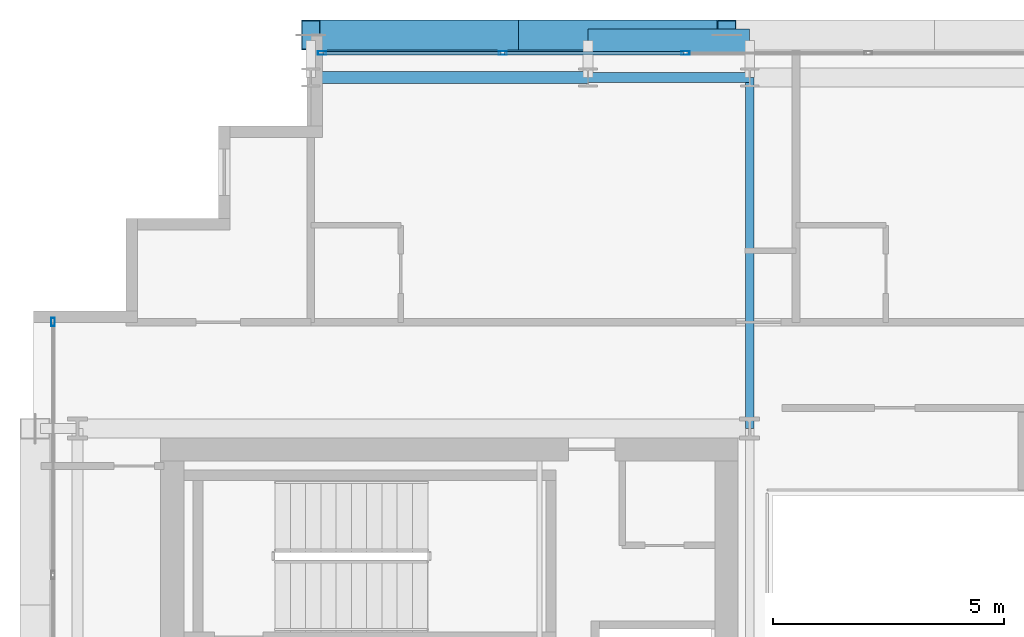
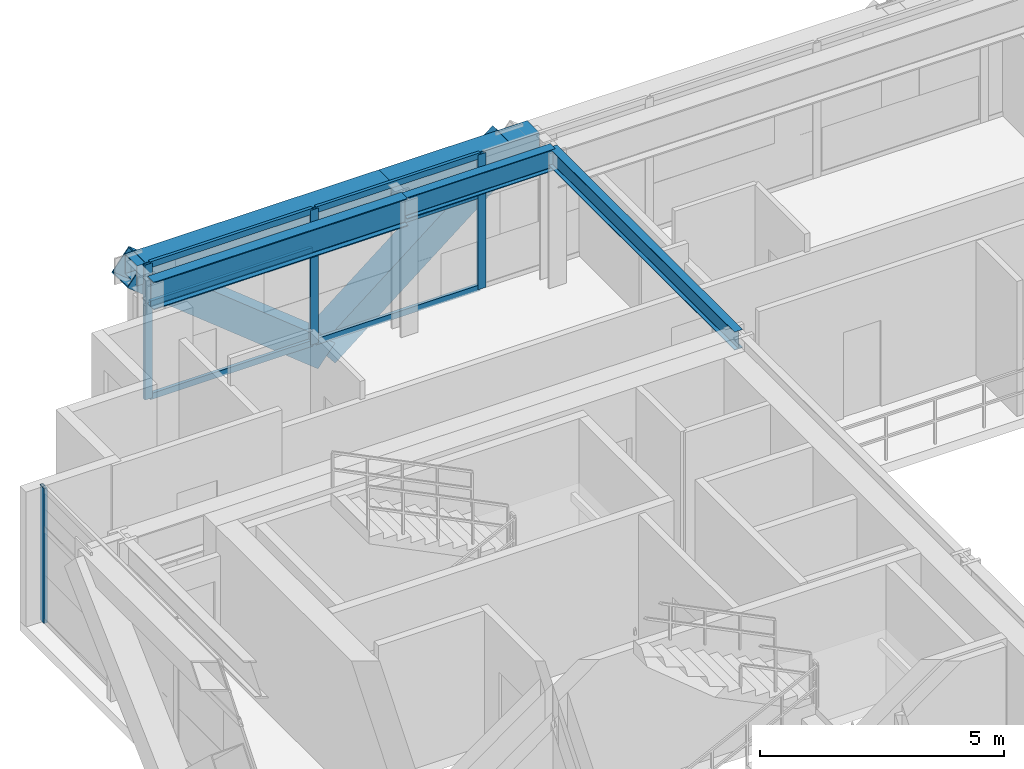
# One storey, part 16 of 32: 12 members, 5 beams, 2 elements without a shape of their own.
"""IFC4 building model written with IfcOpenShell, lengths in metres."""

from ifc_helpers import new_model, si_unit, direction, frame, origin, origin_2d, place, context, subcontext, project, spatial, hollow_rectangle, i_section, extrude, source, transform, mapped, material, layer, layer_set, material_profile, profile_set, type_object, element, aggregate, save


model = new_model("IFC4")

# Units and contexts
model_context = context("Model", 3, precision=1e-05, world=origin(), true_north=direction((0.0, 1.0)))
body_context = subcontext(model_context, "Body", "Model", "MODEL_VIEW")
ifc_project = project(units=[si_unit("LENGTHUNIT", "METRE"), si_unit("AREAUNIT", "SQUARE_METRE"), si_unit("VOLUMEUNIT", "CUBIC_METRE"), si_unit("PLANEANGLEUNIT", "RADIAN"), si_unit("MASSUNIT", "GRAM", prefix="KILO")], contexts=[model_context])

# Site, building, storey
site_placement = place(None, origin())
site = spatial("IfcSite", under=ifc_project, at=site_placement, CompositionType="ELEMENT")
building_placement = place(site_placement, origin())
building = spatial("IfcBuilding", under=site, at=building_placement, Name="Ocotamira Hotel", CompositionType="ELEMENT")
storey_placement = place(building_placement, frame((0.0, 0.0, 213.60009765625)))
storey = spatial("IfcBuildingStorey", under=building, at=storey_placement, Name="L54", CompositionType="ELEMENT", Elevation=213.60009765625)

# Beams
ifc_material_1 = material(Name="Steel ASTM A992 Grade 50", Category="steel")
ifc_material_profile_1 = material_profile(ifc_material_1, i_section(OverallWidth=0.256103515625, OverallDepth=0.693115234375, WebThickness=0.014404296875, FlangeThickness=0.023681640625, FilletRadius=0.01611328125, at=origin_2d()), Name="W27X114")
ifc_profile_set_1 = profile_set([ifc_material_profile_1], Name="Steel ASTM A992 Grade 50")
beam_type_1 = type_object("IfcBeamType", Name="BM-PRIM-W27X114", PredefinedType="BEAM", material=ifc_profile_set_1)
shared_shape_1 = source(origin(), body_context, "Body", "SweptSolid", [
    extrude(i_section(OverallWidth=0.256103515625, OverallDepth=0.693115234375, WebThickness=0.014404296875, FlangeThickness=0.023681640625, FilletRadius=0.01611328125, at=origin_2d()), origin(), (0.0, 0.0, 1.0), 6.0),
])
beam_1_placement = place(storey_placement, frame((14.0, 45.050048828125, 3.0234375), z_axis=(1.0, 0.0, 0.0), x_axis=(0.0, 1.0, 0.0)))
element("IfcBeam", 1, at=beam_1_placement, inside=storey, type_object=beam_type_1, Name="L54 Girder Y45.05 X14-20", PredefinedType="BEAM", context=body_context, shape_type="MappedRepresentation", body=[
    mapped(shared_shape_1, transform((0.0, 0.0, 0.0), scale=1.0)),
])
ifc_material_profile_2 = material_profile(ifc_material_1, i_section(OverallWidth=0.2099609375, OverallDepth=0.537109375, WebThickness=0.010986328125, FlangeThickness=0.017333984375, FilletRadius=0.012939453125, at=origin_2d()), Name="W21X68")
ifc_profile_set_2 = profile_set([ifc_material_profile_2], Name="Steel ASTM A992 Grade 50")
beam_type_2 = type_object("IfcBeamType", Name="BM-SEC-W21X68", PredefinedType="JOIST", material=ifc_profile_set_2)
shared_shape_2 = source(origin(), body_context, "Body", "SweptSolid", [
    extrude(i_section(OverallWidth=0.2099609375, OverallDepth=0.537109375, WebThickness=0.010986328125, FlangeThickness=0.017333984375, FilletRadius=0.012939453125, at=origin_2d()), origin(), (0.0, 0.0, 1.0), 3.5),
])
beam_2_placement = place(storey_placement, frame((20.0, 45.050048828125, 3.101318359375), z_axis=(1.0, 0.0, 0.0), x_axis=(0.0, 1.0, 0.0)))
element("IfcBeam", 2, at=beam_2_placement, inside=storey, type_object=beam_type_2, Name="L54 Girder Y45.05 X20-23.5", PredefinedType="JOIST", context=body_context, shape_type="MappedRepresentation", body=[
    mapped(shared_shape_2, transform((0.0, 0.0, 0.0), scale=1.0)),
])
ifc_material_2 = material(Name="Steel ASTM A500 Grade C", Category="steel")
ifc_material_profile_3 = material_profile(ifc_material_2, hollow_rectangle(XDim=0.5, YDim=0.5, WallThickness=0.02001953125, at=origin_2d()), Name="HSS500X500X20")
ifc_profile_set_3 = profile_set([ifc_material_profile_3], Name="Steel ASTM A500 Grade C")
beam_type_3 = type_object("IfcBeamType", Name="BM-SPAN-HSS500", PredefinedType="USERDEFINED", material=ifc_profile_set_3)
shared_shape_3 = source(origin(), body_context, "Body", "SweptSolid", [
    extrude(hollow_rectangle(XDim=0.5, YDim=0.5, WallThickness=0.02001953125, at=origin_2d()), origin(), (0.0, 0.0, 1.0), 6.0),
])
beam_3_placement = place(storey_placement, frame((14.0, 45.85009765625, 3.119873046875), z_axis=(1.0, 0.0, 0.0), x_axis=(0.0, 1.0, 0.0)))
element("IfcBeam", 3, at=beam_3_placement, inside=storey, type_object=beam_type_3, Name="L54 Edge Spandrel N X14-20", ObjectType="SPANDREL", PredefinedType="USERDEFINED", context=body_context, shape_type="MappedRepresentation", body=[
    mapped(shared_shape_3, transform((0.0, 0.0, 0.0), scale=1.0)),
])
shared_shape_4 = source(origin(), body_context, "Body", "SweptSolid", [
    extrude(hollow_rectangle(XDim=0.5, YDim=0.5, WallThickness=0.02001953125, at=origin_2d()), origin(), (0.0, 0.0, 1.0), 3.5),
])
beam_4_placement = place(storey_placement, frame((20.0, 45.85009765625, 3.119873046875), z_axis=(1.0, 0.0, 0.0), x_axis=(0.0, 1.0, 0.0)))
element("IfcBeam", 4, at=beam_4_placement, inside=storey, type_object=beam_type_3, Name="L54 Edge Spandrel N X20-23.5", ObjectType="SPANDREL", PredefinedType="USERDEFINED", context=body_context, shape_type="MappedRepresentation", body=[
    mapped(shared_shape_4, transform((0.0, 0.0, 0.0), scale=1.0)),
])
ifc_material_profile_4 = material_profile(ifc_material_1, i_section(OverallWidth=0.18994140625, OverallDepth=0.45703125, WebThickness=0.009033203125, FlangeThickness=0.014404296875, FilletRadius=0.010009765625, at=origin_2d()), Name="W18X50")
ifc_profile_set_4 = profile_set([ifc_material_profile_4], Name="Steel ASTM A992 Grade 50")
beam_type_4 = type_object("IfcBeamType", Name="BM-SEC-W18X50", PredefinedType="JOIST", material=ifc_profile_set_4)
shared_shape_5 = source(origin(), body_context, "Body", "SweptSolid", [
    extrude(i_section(OverallWidth=0.18994140625, OverallDepth=0.45703125, WebThickness=0.009033203125, FlangeThickness=0.014404296875, FilletRadius=0.010009765625, at=origin_2d()), origin(), (0.0, 0.0, 1.0), 7.60009765625),
])
beam_5_placement = place(storey_placement, frame((23.5, 37.449951171875, 3.141357421875), z_axis=(0.0, 1.0, 0.0), x_axis=(-1.0, 0.0, 0.0)))
element("IfcBeam", 5, at=beam_5_placement, inside=storey, type_object=beam_type_4, Name="L54 Beam X23.5 Y37.45-45.05", PredefinedType="JOIST", context=body_context, shape_type="MappedRepresentation", body=[
    mapped(shared_shape_5, transform((0.0, 0.0, 0.0), scale=1.0)),
])

# Members
ifc_material_3 = material(Name="Pale-metal coated steel ASTM A913 Grade 65", Category="steel")
ifc_material_profile_5 = material_profile(ifc_material_3, hollow_rectangle(XDim=0.64990234375, YDim=0.64990234375, WallThickness=0.02197265625, at=origin_2d()), Name="BOX650X650X22")
ifc_profile_set_5 = profile_set([ifc_material_profile_5], Name="Pale-metal coated steel ASTM A913 Grade 65")
member_type_1 = type_object("IfcMemberType", Name="MEM-EXO-BOX650", PredefinedType="BRACE", material=ifc_profile_set_5)
shared_shape_6 = source(origin(), body_context, "Body", "SweptSolid", [
    extrude(hollow_rectangle(XDim=0.64990234375, YDim=0.64990234375, WallThickness=0.02197265625, at=origin_2d()), origin(), (0.0, 0.0, 1.0), 5.7626953125),
])
for number, where, z_axis, x_axis, name in (
    (6, (18.5, 45.969970703125, -0.47998046875), (-0.780881208953, 0.0, 0.624679547852), (0.0, -1.0, 0.0), "L54 Exoskeleton Diagrid N0.1"),
    (7, (18.5, 45.969970703125, -0.47998046875), (0.780881208953, 0.0, 0.624679547852), (0.0, 1.0, 0.0), "L54 Exoskeleton Diagrid N0.2"),
):
    element("IfcMember", number, at=place(storey_placement, frame(where, z_axis=z_axis, x_axis=x_axis)), inside=storey, type_object=member_type_1, Name=name, PredefinedType="BRACE", context=body_context, shape_type="MappedRepresentation", body=[
        mapped(shared_shape_6, transform((0.0, 0.0, 0.0), scale=1.0)),
    ])

# Curtain wall, members
ifc_material_4 = material(Name="Anodised pale-metal aluminium and solar glass", Category="aluminium")
ifc_layer = layer(ifc_material_4, 0.199951171875)
ifc_layer_set = layer_set([ifc_layer], Name="Anodised pale-metal aluminium and solar glass")
curtain_wall_type = type_object("IfcCurtainWallType", Name="CW-SYS4-Z3", PredefinedType="NOTDEFINED", material=ifc_layer_set)
curtain_wall_1_placement = place(storey_placement, origin())
curtain_wall_1 = element("IfcCurtainWall", 8, at=curtain_wall_1_placement, inside=storey, type_object=curtain_wall_type, Name="L54 Curtain Wall CW-4 CW-L54-N", PredefinedType="NOTDEFINED")
ifc_material_5 = material(Name="Anodised pale-metal aluminium 6063-T6", Category="aluminium")
ifc_material_profile_6 = material_profile(ifc_material_5, hollow_rectangle(XDim=0.074951171875, YDim=0.14990234375, WallThickness=0.006103515625, at=origin_2d()), Name="HSS150X75X6")
ifc_profile_set_6 = profile_set([ifc_material_profile_6], Name="Anodised pale-metal aluminium 6063-T6")
member_type_2 = type_object("IfcMemberType", Name="CWT-150X75", PredefinedType="USERDEFINED", material=ifc_profile_set_6)
shared_shape_7 = source(origin(), body_context, "Body", "SweptSolid", [
    extrude(hollow_rectangle(XDim=0.074951171875, YDim=0.14990234375, WallThickness=0.006103515625, at=origin_2d()), origin(), (0.0, 0.0, 1.0), 3.83544921875),
])
member_1_placement = place(storey_placement, frame((14.280029296875, 45.580078125, 0.037353515625), z_axis=(1.0, 0.0, 0.0), x_axis=(0.0, 1.0, 0.0)))
member_1 = element("IfcMember", 9, at=member_1_placement, type_object=member_type_2, Name="CW-4 transom 1.1", ObjectType="TRANSOM", PredefinedType="USERDEFINED", context=body_context, shape_type="MappedRepresentation", body=[
    mapped(shared_shape_7, transform((0.0, 0.0, 0.0), scale=1.0)),
])
member_2_placement = place(storey_placement, frame((14.280029296875, 45.580078125, 2.349853515625), z_axis=(1.0, 0.0, 0.0), x_axis=(0.0, 1.0, 0.0)))
member_2 = element("IfcMember", 10, at=member_2_placement, type_object=member_type_2, Name="CW-4 transom 1.2", ObjectType="TRANSOM", PredefinedType="USERDEFINED", context=body_context, shape_type="MappedRepresentation", body=[
    mapped(shared_shape_7, transform((0.0, 0.0, 0.0), scale=1.0)),
])
member_3_placement = place(storey_placement, frame((14.280029296875, 45.580078125, 3.33251953125), z_axis=(1.0, 0.0, 0.0), x_axis=(0.0, 1.0, 0.0)))
member_3 = element("IfcMember", 11, at=member_3_placement, type_object=member_type_2, Name="CW-4 transom 1.3", ObjectType="TRANSOM", PredefinedType="USERDEFINED", context=body_context, shape_type="MappedRepresentation", body=[
    mapped(shared_shape_7, transform((0.0, 0.0, 0.0), scale=1.0)),
])
shared_shape_8 = source(origin(), body_context, "Body", "SweptSolid", [
    extrude(hollow_rectangle(XDim=0.074951171875, YDim=0.14990234375, WallThickness=0.006103515625, at=origin_2d()), origin(), (0.0, 0.0, 1.0), 3.87548828125),
])
member_4_placement = place(storey_placement, frame((18.195556640625, 45.580078125, 0.037353515625), z_axis=(1.0, 0.0, 0.0), x_axis=(0.0, 1.0, 0.0)))
member_4 = element("IfcMember", 12, at=member_4_placement, type_object=member_type_2, Name="CW-4 transom 2.1", ObjectType="TRANSOM", PredefinedType="USERDEFINED", context=body_context, shape_type="MappedRepresentation", body=[
    mapped(shared_shape_8, transform((0.0, 0.0, 0.0), scale=1.0)),
])
member_5_placement = place(storey_placement, frame((18.195556640625, 45.580078125, 2.349853515625), z_axis=(1.0, 0.0, 0.0), x_axis=(0.0, 1.0, 0.0)))
member_5 = element("IfcMember", 13, at=member_5_placement, type_object=member_type_2, Name="CW-4 transom 2.2", ObjectType="TRANSOM", PredefinedType="USERDEFINED", context=body_context, shape_type="MappedRepresentation", body=[
    mapped(shared_shape_8, transform((0.0, 0.0, 0.0), scale=1.0)),
])
member_6_placement = place(storey_placement, frame((18.195556640625, 45.580078125, 3.33251953125), z_axis=(1.0, 0.0, 0.0), x_axis=(0.0, 1.0, 0.0)))
member_6 = element("IfcMember", 14, at=member_6_placement, type_object=member_type_2, Name="CW-4 transom 2.3", ObjectType="TRANSOM", PredefinedType="USERDEFINED", context=body_context, shape_type="MappedRepresentation", body=[
    mapped(shared_shape_8, transform((0.0, 0.0, 0.0), scale=1.0)),
])
ifc_material_profile_7 = material_profile(ifc_material_5, hollow_rectangle(XDim=0.080078125, YDim=0.179931640625, WallThickness=0.006103515625, at=origin_2d()), Name="HSS180X80X6")
ifc_profile_set_7 = profile_set([ifc_material_profile_7], Name="Anodised pale-metal aluminium 6063-T6")
member_type_3 = type_object("IfcMemberType", Name="CWM-180X75", PredefinedType="MULLION", material=ifc_profile_set_7)
shared_shape_9 = source(origin(), body_context, "Body", "SweptSolid", [
    extrude(hollow_rectangle(XDim=0.080078125, YDim=0.179931640625, WallThickness=0.006103515625, at=origin_2d()), origin(), (0.0, 0.0, 1.0), 3.369873046875),
])
member_7_placement = place(storey_placement, frame((14.239990234375, 45.580078125, 0.0), z_axis=(0.0, 0.0, 1.0), x_axis=(0.0, 1.0, 0.0)))
member_7 = element("IfcMember", 15, at=member_7_placement, type_object=member_type_3, Name="CW-4 mullion 1", PredefinedType="MULLION", context=body_context, shape_type="MappedRepresentation", body=[
    mapped(shared_shape_9, transform((0.0, 0.0, 0.0), scale=1.0)),
])
member_8_placement = place(storey_placement, frame((18.155517578125, 45.580078125, 0.0), z_axis=(0.0, 0.0, 1.0), x_axis=(0.0, 1.0, 0.0)))
member_8 = element("IfcMember", 16, at=member_8_placement, type_object=member_type_3, Name="CW-4 mullion 2", PredefinedType="MULLION", context=body_context, shape_type="MappedRepresentation", body=[
    mapped(shared_shape_9, transform((0.0, 0.0, 0.0), scale=1.0)),
])
member_9_placement = place(storey_placement, frame((22.111083984375, 45.580078125, 0.0), z_axis=(0.0, 0.0, 1.0), x_axis=(0.0, 1.0, 0.0)))
member_9 = element("IfcMember", 17, at=member_9_placement, type_object=member_type_3, Name="CW-4 mullion 3", PredefinedType="MULLION", context=body_context, shape_type="MappedRepresentation", body=[
    mapped(shared_shape_9, transform((0.0, 0.0, 0.0), scale=1.0)),
])
aggregate(curtain_wall_1, [member_7, member_8, member_9, member_1, member_2, member_3, member_4, member_5, member_6])

# Curtain wall, member
curtain_wall_2_placement = place(storey_placement, origin())
curtain_wall_2 = element("IfcCurtainWall", 18, at=curtain_wall_2_placement, inside=storey, type_object=curtain_wall_type, Name="L54 Curtain Wall CW-4 CW-L54-W", PredefinedType="NOTDEFINED")
member_10_placement = place(storey_placement, frame((8.419921875, 39.760009765625, 0.0), z_axis=(0.0, 0.0, 1.0), x_axis=(-1.0, 0.0, 0.0)))
member_10 = element("IfcMember", 19, at=member_10_placement, type_object=member_type_3, Name="CW-4 mullion 6", PredefinedType="MULLION", context=body_context, shape_type="MappedRepresentation", body=[
    mapped(shared_shape_9, transform((0.0, 0.0, 0.0), scale=1.0)),
])
aggregate(curtain_wall_2, [member_10])

save(model, "model.ifc")
